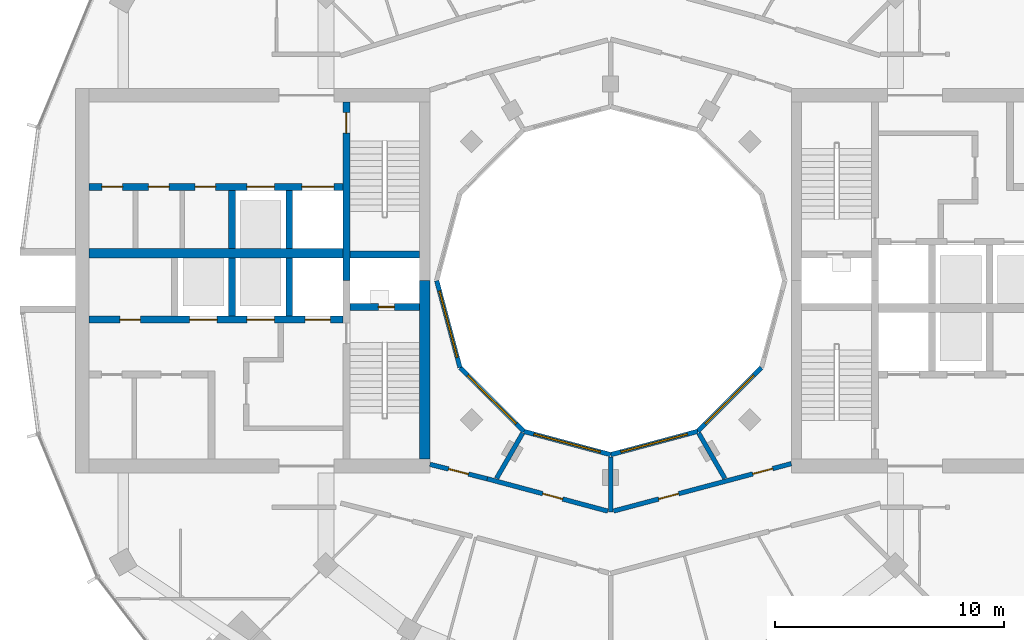
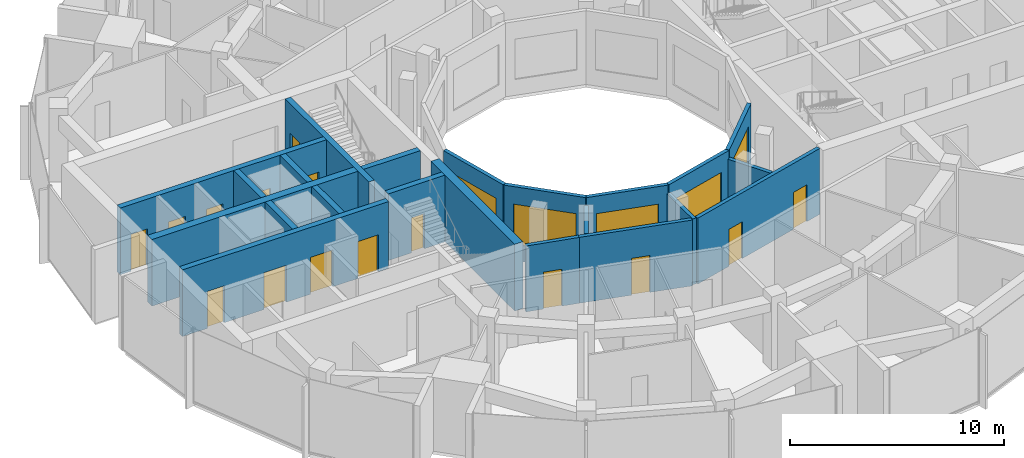
# One storey, part 9 of 15: 22 walls, 15 doors, 5 windows, 20 openings.
"""IFC4 building model written with IfcOpenShell, lengths in metres."""

from ifc_helpers import new_model, si_unit, direction, frame, frame_2d, origin, place, context, subcontext, project, spatial, rectangle, extrude, material, layer, layer_set, type_object, element, fill, save


model = new_model("IFC4")

# Units and contexts
model_context = context("Model", 3, precision=1e-05, world=origin(), true_north=direction((0.0, 1.0)))
body_context = subcontext(model_context, "Body", "Model", "MODEL_VIEW")
ifc_project = project(units=[si_unit("LENGTHUNIT", "METRE"), si_unit("AREAUNIT", "SQUARE_METRE"), si_unit("VOLUMEUNIT", "CUBIC_METRE"), si_unit("PLANEANGLEUNIT", "RADIAN"), si_unit("MASSUNIT", "GRAM", prefix="KILO")], contexts=[model_context])

# Site, building, storey
site_placement = place(None, origin())
site = spatial("IfcSite", under=ifc_project, at=site_placement, CompositionType="ELEMENT")
building_placement = place(site_placement, origin())
building = spatial("IfcBuilding", under=site, at=building_placement, Name="Torre Brocal", CompositionType="ELEMENT")
storey_placement = place(building_placement, frame((0.0, 0.0, 225.10009765625)))
storey = spatial("IfcBuildingStorey", under=building, at=storey_placement, Name="L52", CompositionType="ELEMENT", Elevation=225.10009765625)

# Wall, opening, door
ifc_material_1 = material(Name="Concrete C60", Category="concrete")
ifc_layer_1 = layer(ifc_material_1, 0.300048828125)
ifc_layer_set_1 = layer_set([ifc_layer_1], Name="Concrete C60")
wall_type_1 = type_object("IfcWallType", Name="CORE WALL 300 C60 UNDER 400 SLAB", PredefinedType="SHEAR", material=ifc_layer_set_1)
wall_1_placement = place(storey_placement, frame((68.449951171875, 82.800048828125, 0.0), z_axis=(0.0, 0.0, 1.0), x_axis=(0.0, -1.0, 0.0)))
wall_1 = element("IfcWall", 1, at=wall_1_placement, inside=storey, type_object=wall_type_1, Name="Wall CW300-60-S400", PredefinedType="SHEAR", context=body_context, shape_type="SweptSolid", body=[
    extrude(rectangle(XDim=7.800048828125, YDim=0.300048828125, at=frame_2d((3.89990234375, 0.0))), origin(), (0.0, 0.0, 1.0), 3.7998046875),
])
opening_1_placement = place(wall_1_placement, frame((0.449951171875, 0.0, 0.0)))
opening_1 = element("IfcOpeningElement", 2, at=opening_1_placement, cuts=wall_1, Name="Opening W-D03", PredefinedType="OPENING", context=body_context, shape_type="SweptSolid", body=[
    extrude(rectangle(XDim=0.89990234375, YDim=2.10009765625, at=frame_2d((0.449951171875, 1.050048828125))), frame((0.0, 0.159912109375, 0.0), z_axis=(0.0, -1.0, 0.0), x_axis=(1.0, 0.0, 0.0)), (0.0, 0.0, 1.0), 0.320068359375),
])
ifc_material_2 = material(Name="Steel A653", Category="steel")
door_type_1 = type_object("IfcDoorType", Name="STAIR DOOR FD120 900X2100", OperationType="SINGLE_SWING_RIGHT", PredefinedType="DOOR", material=ifc_material_2)
door_1_placement = place(opening_1_placement, origin())
door_1 = element("IfcDoor", 3, at=door_1_placement, inside=storey, type_object=door_type_1, Name="Door W-D03", OperationType="SINGLE_SWING_LEFT", OverallHeight=2.10009765625, OverallWidth=0.89990234375, PredefinedType="DOOR", context=body_context, shape_type="SweptSolid", body=[
    extrude(rectangle(XDim=0.89990234375, YDim=2.10009765625, at=frame_2d((0.449951171875, 1.050048828125))), frame((0.0, 0.02490234375, 0.0), z_axis=(0.0, -1.0, 0.0), x_axis=(1.0, 0.0, 0.0)), (0.0, 0.0, 1.0), 0.050048828125),
])
fill(opening_1, door_1)

wall_2_placement = place(storey_placement, frame((71.64990234375, 73.85009765625, 0.0), z_axis=(0.0, 0.0, 1.0), x_axis=(-1.0, 0.0, 0.0)))
wall_2 = element("IfcWall", 4, at=wall_2_placement, inside=storey, type_object=wall_type_1, Name="Wall CW300-60-S400", PredefinedType="SHEAR", context=body_context, shape_type="SweptSolid", body=[
    extrude(rectangle(XDim=3.0498046875, YDim=0.300048828125, at=frame_2d((1.52490234375, 0.0))), origin(), (0.0, 0.0, 1.0), 3.7998046875),
])
opening_2_placement = place(wall_2_placement, frame((1.10009765625, 0.0, 0.0)))
opening_2 = element("IfcOpeningElement", 5, at=opening_2_placement, cuts=wall_2, Name="Opening W-D01", PredefinedType="OPENING", context=body_context, shape_type="SweptSolid", body=[
    extrude(rectangle(XDim=0.699951171875, YDim=2.0, at=frame_2d((0.35009765625, 1.0))), frame((0.0, 0.159912109375, 0.0), z_axis=(0.0, -1.0, 0.0), x_axis=(1.0, 0.0, 0.0)), (0.0, 0.0, 1.0), 0.320068359375),
])
ifc_material_3 = material(Name="Steel A653", Category="steel")
door_type_2 = type_object("IfcDoorType", Name="RISER DOOR FD120 700X2000", OperationType="SINGLE_SWING_LEFT", PredefinedType="DOOR", material=ifc_material_3)
door_2_placement = place(opening_2_placement, frame((0.699951171875, 0.0, 0.0), z_axis=(0.0, 0.0, 1.0), x_axis=(-1.0, 0.0, 0.0)))
door_2 = element("IfcDoor", 6, at=door_2_placement, inside=storey, type_object=door_type_2, Name="Door W-D01", OperationType="SINGLE_SWING_RIGHT", OverallHeight=2.0, OverallWidth=0.699951171875, PredefinedType="DOOR", context=body_context, shape_type="SweptSolid", body=[
    extrude(rectangle(XDim=0.699951171875, YDim=2.0, at=frame_2d((0.35009765625, 1.0))), frame((0.0, 0.02490234375, 0.0), z_axis=(0.0, -1.0, 0.0), x_axis=(1.0, 0.0, 0.0)), (0.0, 0.0, 1.0), 0.050048828125),
])
fill(opening_2, door_2)

# Wall
wall_3_placement = place(storey_placement, frame((71.64990234375, 76.14990234375, 0.0), z_axis=(0.0, 0.0, 1.0), x_axis=(-1.0, 0.0, 0.0)))
element("IfcWall", 7, at=wall_3_placement, inside=storey, type_object=wall_type_1, Name="Wall CW300-60-S400", PredefinedType="SHEAR", context=body_context, shape_type="SweptSolid", body=[
    extrude(rectangle(XDim=3.0498046875, YDim=0.300048828125, at=frame_2d((1.52490234375, 0.0))), origin(), (0.0, 0.0, 1.0), 3.7998046875),
])

# Wall, openings, doors
wall_4_placement = place(storey_placement, frame((68.300048828125, 73.300048828125, 0.0), z_axis=(0.0, 0.0, 1.0), x_axis=(-1.0, 0.0, 0.0)))
wall_4 = element("IfcWall", 8, at=wall_4_placement, inside=storey, type_object=wall_type_1, Name="Wall CW300-60-S400", PredefinedType="SHEAR", context=body_context, shape_type="SweptSolid", body=[
    extrude(rectangle(XDim=11.10009765625, YDim=0.300048828125, at=frame_2d((5.550048828125, 0.0))), origin(), (0.0, 0.0, 1.0), 3.7998046875),
])
opening_3_placement = place(wall_4_placement, frame((0.550048828125, 0.0, 0.0)))
opening_3 = element("IfcOpeningElement", 9, at=opening_3_placement, cuts=wall_4, Name="Opening LD", PredefinedType="OPENING", context=body_context, shape_type="SweptSolid", body=[
    extrude(rectangle(XDim=1.10009765625, YDim=2.10009765625, at=frame_2d((0.550048828125, 1.050048828125))), frame((0.0, 0.159912109375, 0.0), z_axis=(0.0, -1.0, 0.0), x_axis=(1.0, 0.0, 0.0)), (0.0, 0.0, 1.0), 0.320068359375),
])
opening_4_placement = place(wall_4_placement, frame((3.0, 0.0, 0.0)))
opening_4 = element("IfcOpeningElement", 10, at=opening_4_placement, cuts=wall_4, Name="Opening LD12", PredefinedType="OPENING", context=body_context, shape_type="SweptSolid", body=[
    extrude(rectangle(XDim=1.199951171875, YDim=2.10009765625, at=frame_2d((0.60009765625, 1.050048828125))), frame((0.0, 0.159912109375, 0.0), z_axis=(0.0, -1.0, 0.0), x_axis=(1.0, 0.0, 0.0)), (0.0, 0.0, 1.0), 0.320068359375),
])
opening_5_placement = place(wall_4_placement, frame((5.5, 0.0, 0.0)))
opening_5 = element("IfcOpeningElement", 11, at=opening_5_placement, cuts=wall_4, Name="Opening LD12", PredefinedType="OPENING", context=body_context, shape_type="SweptSolid", body=[
    extrude(rectangle(XDim=1.199951171875, YDim=2.10009765625, at=frame_2d((0.60009765625, 1.050048828125))), frame((0.0, 0.159912109375, 0.0), z_axis=(0.0, -1.0, 0.0), x_axis=(1.0, 0.0, 0.0)), (0.0, 0.0, 1.0), 0.320068359375),
])
opening_6_placement = place(wall_4_placement, frame((8.85009765625, 0.0, 0.0)))
opening_6 = element("IfcOpeningElement", 12, at=opening_6_placement, cuts=wall_4, Name="Opening W-D04", PredefinedType="OPENING", context=body_context, shape_type="SweptSolid", body=[
    extrude(rectangle(XDim=0.89990234375, YDim=2.10009765625, at=frame_2d((0.449951171875, 1.050048828125))), frame((0.0, 0.159912109375, 0.0), z_axis=(0.0, -1.0, 0.0), x_axis=(1.0, 0.0, 0.0)), (0.0, 0.0, 1.0), 0.320068359375),
])
ifc_material_4 = material(Name="Stainless steel AISI 316", Category="steel")
door_type_3 = type_object("IfcDoorType", Name="LIFT LANDING DOOR 1100X2100", OperationType="DOUBLE_DOOR_SLIDING", PredefinedType="DOOR", material=ifc_material_4)
door_3_placement = place(opening_3_placement, origin())
door_3 = element("IfcDoor", 13, at=door_3_placement, inside=storey, type_object=door_type_3, Name="Door LD", OperationType="DOUBLE_DOOR_SLIDING", OverallHeight=2.10009765625, OverallWidth=1.10009765625, PredefinedType="DOOR", context=body_context, shape_type="SweptSolid", body=[
    extrude(rectangle(XDim=1.10009765625, YDim=2.10009765625, at=frame_2d((0.550048828125, 1.050048828125))), frame((0.0, 0.02490234375, 0.0), z_axis=(0.0, -1.0, 0.0), x_axis=(1.0, 0.0, 0.0)), (0.0, 0.0, 1.0), 0.050048828125),
])
fill(opening_3, door_3)
ifc_material_5 = material(Name="Stainless steel AISI 316", Category="steel")
door_type_4 = type_object("IfcDoorType", Name="LIFT LANDING DOOR 1200X2100", OperationType="DOUBLE_DOOR_SLIDING", PredefinedType="DOOR", material=ifc_material_5)
door_4_placement = place(opening_4_placement, origin())
door_4 = element("IfcDoor", 14, at=door_4_placement, inside=storey, type_object=door_type_4, Name="Door LD12", OperationType="DOUBLE_DOOR_SLIDING", OverallHeight=2.10009765625, OverallWidth=1.199951171875, PredefinedType="DOOR", context=body_context, shape_type="SweptSolid", body=[
    extrude(rectangle(XDim=1.199951171875, YDim=2.10009765625, at=frame_2d((0.60009765625, 1.050048828125))), frame((0.0, 0.02490234375, 0.0), z_axis=(0.0, -1.0, 0.0), x_axis=(1.0, 0.0, 0.0)), (0.0, 0.0, 1.0), 0.050048828125),
])
fill(opening_4, door_4)
door_5_placement = place(opening_5_placement, origin())
door_5 = element("IfcDoor", 15, at=door_5_placement, inside=storey, type_object=door_type_4, Name="Door LD12", OperationType="DOUBLE_DOOR_SLIDING", OverallHeight=2.10009765625, OverallWidth=1.199951171875, PredefinedType="DOOR", context=body_context, shape_type="SweptSolid", body=[
    extrude(rectangle(XDim=1.199951171875, YDim=2.10009765625, at=frame_2d((0.60009765625, 1.050048828125))), frame((0.0, 0.02490234375, 0.0), z_axis=(0.0, -1.0, 0.0), x_axis=(1.0, 0.0, 0.0)), (0.0, 0.0, 1.0), 0.050048828125),
])
fill(opening_5, door_5)
ifc_material_6 = material(Name="Steel A653", Category="steel")
door_type_5 = type_object("IfcDoorType", Name="ROOM DOOR FD30S 900X2100", OperationType="SINGLE_SWING_LEFT", PredefinedType="DOOR", material=ifc_material_6)
door_6_placement = place(opening_6_placement, frame((0.89990234375, 0.0, 0.0), z_axis=(0.0, 0.0, 1.0), x_axis=(-1.0, 0.0, 0.0)))
door_6 = element("IfcDoor", 16, at=door_6_placement, inside=storey, type_object=door_type_5, Name="Door W-D04", OperationType="SINGLE_SWING_LEFT", OverallHeight=2.10009765625, OverallWidth=0.89990234375, PredefinedType="DOOR", context=body_context, shape_type="SweptSolid", body=[
    extrude(rectangle(XDim=0.89990234375, YDim=2.10009765625, at=frame_2d((0.449951171875, 1.050048828125))), frame((0.0, 0.02490234375, 0.0), z_axis=(0.0, -1.0, 0.0), x_axis=(1.0, 0.0, 0.0)), (0.0, 0.0, 1.0), 0.050048828125),
])
fill(opening_6, door_6)

wall_5_placement = place(storey_placement, frame((68.300048828125, 79.10009765625, 0.0), z_axis=(0.0, 0.0, 1.0), x_axis=(-1.0, 0.0, 0.0)))
wall_5 = element("IfcWall", 17, at=wall_5_placement, inside=storey, type_object=wall_type_1, Name="Wall CW300-60-S400", PredefinedType="SHEAR", context=body_context, shape_type="SweptSolid", body=[
    extrude(rectangle(XDim=11.10009765625, YDim=0.300048828125, at=frame_2d((5.550048828125, 0.0))), origin(), (0.0, 0.0, 1.0), 3.7998046875),
])
opening_7_placement = place(wall_5_placement, frame((0.39990234375, 0.0, 0.0)))
opening_7 = element("IfcOpeningElement", 18, at=opening_7_placement, cuts=wall_5, Name="Opening LD14", PredefinedType="OPENING", context=body_context, shape_type="SweptSolid", body=[
    extrude(rectangle(XDim=1.39990234375, YDim=2.10009765625, at=frame_2d((0.699951171875, 1.050048828125))), frame((0.0, 0.159912109375, 0.0), z_axis=(0.0, -1.0, 0.0), x_axis=(1.0, 0.0, 0.0)), (0.0, 0.0, 1.0), 0.320068359375),
])
opening_8_placement = place(wall_5_placement, frame((3.0, 0.0, 0.0)))
opening_8 = element("IfcOpeningElement", 19, at=opening_8_placement, cuts=wall_5, Name="Opening LD12", PredefinedType="OPENING", context=body_context, shape_type="SweptSolid", body=[
    extrude(rectangle(XDim=1.199951171875, YDim=2.10009765625, at=frame_2d((0.60009765625, 1.050048828125))), frame((0.0, 0.159912109375, 0.0), z_axis=(0.0, -1.0, 0.0), x_axis=(1.0, 0.0, 0.0)), (0.0, 0.0, 1.0), 0.320068359375),
])
opening_9_placement = place(wall_5_placement, frame((5.566650390625, 0.0, 0.0)))
opening_9 = element("IfcOpeningElement", 20, at=opening_9_placement, cuts=wall_5, Name="Opening W-D05", PredefinedType="OPENING", context=body_context, shape_type="SweptSolid", body=[
    extrude(rectangle(XDim=0.89990234375, YDim=2.10009765625, at=frame_2d((0.449951171875, 1.050048828125))), frame((0.0, 0.159912109375, 0.0), z_axis=(0.0, -1.0, 0.0), x_axis=(1.0, 0.0, 0.0)), (0.0, 0.0, 1.0), 0.320068359375),
])
opening_10_placement = place(wall_5_placement, frame((7.60009765625, 0.0, 0.0)))
opening_10 = element("IfcOpeningElement", 21, at=opening_10_placement, cuts=wall_5, Name="Opening W-D06", PredefinedType="OPENING", context=body_context, shape_type="SweptSolid", body=[
    extrude(rectangle(XDim=0.89990234375, YDim=2.10009765625, at=frame_2d((0.449951171875, 1.050048828125))), frame((0.0, 0.159912109375, 0.0), z_axis=(0.0, -1.0, 0.0), x_axis=(1.0, 0.0, 0.0)), (0.0, 0.0, 1.0), 0.320068359375),
])
opening_11_placement = place(wall_5_placement, frame((9.63330078125, 0.0, 0.0)))
opening_11 = element("IfcOpeningElement", 22, at=opening_11_placement, cuts=wall_5, Name="Opening W-D07", PredefinedType="OPENING", context=body_context, shape_type="SweptSolid", body=[
    extrude(rectangle(XDim=0.89990234375, YDim=2.10009765625, at=frame_2d((0.449951171875, 1.050048828125))), frame((0.0, 0.159912109375, 0.0), z_axis=(0.0, -1.0, 0.0), x_axis=(1.0, 0.0, 0.0)), (0.0, 0.0, 1.0), 0.320068359375),
])
door_7_placement = place(opening_8_placement, origin())
door_7 = element("IfcDoor", 23, at=door_7_placement, inside=storey, type_object=door_type_4, Name="Door LD12", OperationType="DOUBLE_DOOR_SLIDING", OverallHeight=2.10009765625, OverallWidth=1.199951171875, PredefinedType="DOOR", context=body_context, shape_type="SweptSolid", body=[
    extrude(rectangle(XDim=1.199951171875, YDim=2.10009765625, at=frame_2d((0.60009765625, 1.050048828125))), frame((0.0, 0.02490234375, 0.0), z_axis=(0.0, -1.0, 0.0), x_axis=(1.0, 0.0, 0.0)), (0.0, 0.0, 1.0), 0.050048828125),
])
fill(opening_8, door_7)
ifc_material_7 = material(Name="Stainless steel AISI 316", Category="steel")
door_type_6 = type_object("IfcDoorType", Name="LIFT LANDING DOOR 1400X2100", OperationType="DOUBLE_DOOR_SLIDING", PredefinedType="DOOR", material=ifc_material_7)
door_8_placement = place(opening_7_placement, origin())
door_8 = element("IfcDoor", 24, at=door_8_placement, inside=storey, type_object=door_type_6, Name="Door LD14", OperationType="DOUBLE_DOOR_SLIDING", OverallHeight=2.10009765625, OverallWidth=1.39990234375, PredefinedType="DOOR", context=body_context, shape_type="SweptSolid", body=[
    extrude(rectangle(XDim=1.39990234375, YDim=2.10009765625, at=frame_2d((0.699951171875, 1.050048828125))), frame((0.0, 0.02490234375, 0.0), z_axis=(0.0, -1.0, 0.0), x_axis=(1.0, 0.0, 0.0)), (0.0, 0.0, 1.0), 0.050048828125),
])
fill(opening_7, door_8)
door_9_placement = place(opening_9_placement, origin())
door_9 = element("IfcDoor", 25, at=door_9_placement, inside=storey, type_object=door_type_5, Name="Door W-D05", OperationType="SINGLE_SWING_RIGHT", OverallHeight=2.10009765625, OverallWidth=0.89990234375, PredefinedType="DOOR", context=body_context, shape_type="SweptSolid", body=[
    extrude(rectangle(XDim=0.89990234375, YDim=2.10009765625, at=frame_2d((0.449951171875, 1.050048828125))), frame((0.0, 0.02490234375, 0.0), z_axis=(0.0, -1.0, 0.0), x_axis=(1.0, 0.0, 0.0)), (0.0, 0.0, 1.0), 0.050048828125),
])
fill(opening_9, door_9)
door_10_placement = place(opening_10_placement, origin())
door_10 = element("IfcDoor", 26, at=door_10_placement, inside=storey, type_object=door_type_5, Name="Door W-D06", OperationType="SINGLE_SWING_RIGHT", OverallHeight=2.10009765625, OverallWidth=0.89990234375, PredefinedType="DOOR", context=body_context, shape_type="SweptSolid", body=[
    extrude(rectangle(XDim=0.89990234375, YDim=2.10009765625, at=frame_2d((0.449951171875, 1.050048828125))), frame((0.0, 0.02490234375, 0.0), z_axis=(0.0, -1.0, 0.0), x_axis=(1.0, 0.0, 0.0)), (0.0, 0.0, 1.0), 0.050048828125),
])
fill(opening_10, door_10)
door_11_placement = place(opening_11_placement, origin())
door_11 = element("IfcDoor", 27, at=door_11_placement, inside=storey, type_object=door_type_5, Name="Door W-D07", OperationType="SINGLE_SWING_LEFT", OverallHeight=2.10009765625, OverallWidth=0.89990234375, PredefinedType="DOOR", context=body_context, shape_type="SweptSolid", body=[
    extrude(rectangle(XDim=0.89990234375, YDim=2.10009765625, at=frame_2d((0.449951171875, 1.050048828125))), frame((0.0, 0.02490234375, 0.0), z_axis=(0.0, -1.0, 0.0), x_axis=(1.0, 0.0, 0.0)), (0.0, 0.0, 1.0), 0.050048828125),
])
fill(opening_11, door_11)

# Walls
for number, where, z_axis, x_axis, name in (
    (28, (65.949951171875, 76.0, 0.0), (0.0, 0.0, 1.0), (0.0, -1.0, 0.0), "Wall CW300-60-S400"),
    (29, (63.449951171875, 76.0, 0.0), (0.0, 0.0, 1.0), (0.0, -1.0, 0.0), "Wall CW300-60-S400"),
    (30, (65.949951171875, 78.949951171875, 0.0), (0.0, 0.0, 1.0), (0.0, -1.0, 0.0), "Wall CW300-60-S400"),
    (31, (63.449951171875, 78.949951171875, 0.0), (0.0, 0.0, 1.0), (0.0, -1.0, 0.0), "Wall CW300-60-S400"),
):
    element("IfcWall", number, at=place(storey_placement, frame(where, z_axis=z_axis, x_axis=x_axis)), inside=storey, type_object=wall_type_1, Name=name, PredefinedType="SHEAR", context=body_context, shape_type="SweptSolid", body=[
        extrude(rectangle(XDim=2.550048828125, YDim=0.300048828125, at=frame_2d((1.27490234375, 0.0))), origin(), (0.0, 0.0, 1.0), 3.7998046875),
    ])
ifc_material_8 = material(Name="Concrete C60", Category="concrete")
ifc_layer_2 = layer(ifc_material_8, 0.39990234375)
ifc_layer_set_2 = layer_set([ifc_layer_2], Name="Concrete C60")
wall_type_2 = type_object("IfcWallType", Name="CORE WALL 400 C60 UNDER 400 SLAB", PredefinedType="SHEAR", material=ifc_layer_set_2)
wall_6_placement = place(storey_placement, frame((68.300048828125, 76.199951171875, 0.0), z_axis=(0.0, 0.0, 1.0), x_axis=(-1.0, 0.0, 0.0)))
element("IfcWall", 32, at=wall_6_placement, inside=storey, type_object=wall_type_2, Name="Wall CW400-60-S400", PredefinedType="SHEAR", context=body_context, shape_type="SweptSolid", body=[
    extrude(rectangle(XDim=11.10009765625, YDim=0.39990234375, at=frame_2d((5.550048828125, 0.0))), origin(), (0.0, 0.0, 1.0), 3.7998046875),
])
ifc_material_9 = material(Name="Concrete C60", Category="concrete")
ifc_layer_3 = layer(ifc_material_9, 0.449951171875)
ifc_layer_set_3 = layer_set([ifc_layer_3], Name="Concrete C60")
wall_type_3 = type_object("IfcWallType", Name="CORE WALL 450 C60 UNDER 400 SLAB", PredefinedType="SHEAR", material=ifc_layer_set_3)
wall_7_placement = place(storey_placement, frame((71.875, 75.0, 0.0), z_axis=(0.0, 0.0, 1.0), x_axis=(0.0, -1.0, 0.0)))
element("IfcWall", 33, at=wall_7_placement, inside=storey, type_object=wall_type_3, Name="Wall CW450-60-S400", PredefinedType="SHEAR", context=body_context, shape_type="SweptSolid", body=[
    extrude(rectangle(XDim=7.800048828125, YDim=0.449951171875, at=frame_2d((3.89990234375, 0.0))), origin(), (0.0, 0.0, 1.0), 3.7998046875),
])

# Wall, opening, door
ifc_material_10 = material(Name="Gypsum board", Category="Gypsum")
ifc_layer_4 = layer(ifc_material_10, 0.199951171875)
ifc_layer_set_4 = layer_set([ifc_layer_4], Name="Gypsum board")
wall_type_4 = type_object("IfcWallType", Name="PARTITION 200 EI60", PredefinedType="PARTITIONING", material=ifc_layer_set_4)
wall_8_placement = place(storey_placement, frame((72.10009765625, 66.97509765625, 0.0), z_axis=(0.0, 0.0, 1.0), x_axis=(0.969471314457, -0.245204752086, 0.0)))
wall_8 = element("IfcWall", 34, at=wall_8_placement, inside=storey, type_object=wall_type_4, Name="CORRIDOR WALL", PredefinedType="PARTITIONING", context=body_context, shape_type="SweptSolid", body=[
    extrude(rectangle(XDim=2.581787109375, YDim=0.199951171875, at=frame_2d((1.291015625, 0.0))), origin(), (0.0, 0.0, 1.0), 3.75),
])
opening_12_placement = place(wall_8_placement, frame((0.8408203125, 0.0, 0.0)))
opening_12 = element("IfcOpeningElement", 35, at=opening_12_placement, cuts=wall_8, Name="Opening B02-D41", PredefinedType="OPENING", context=body_context, shape_type="SweptSolid", body=[
    extrude(rectangle(XDim=0.89990234375, YDim=2.10009765625, at=frame_2d((0.449951171875, 1.050048828125))), frame((0.0, 0.10986328125, 0.0), z_axis=(0.0, -1.0, 0.0), x_axis=(1.0, 0.0, 0.0)), (0.0, 0.0, 1.0), 0.219970703125),
])
ifc_material_11 = material(Name="Timber", Category="wood")
door_type_7 = type_object("IfcDoorType", Name="ROOM DOOR 900X2100", OperationType="SINGLE_SWING_LEFT", PredefinedType="DOOR", material=ifc_material_11)
door_12_placement = place(opening_12_placement, origin())
door_12 = element("IfcDoor", 36, at=door_12_placement, inside=storey, type_object=door_type_7, Name="B02-D41", OperationType="SINGLE_SWING_LEFT", OverallHeight=2.10009765625, OverallWidth=0.89990234375, PredefinedType="DOOR", context=body_context, shape_type="SweptSolid", body=[
    extrude(rectangle(XDim=0.89990234375, YDim=2.10009765625, at=frame_2d((0.449951171875, 1.050048828125))), frame((0.0, 0.02490234375, 0.0), z_axis=(0.0, -1.0, 0.0), x_axis=(1.0, 0.0, 0.0)), (0.0, 0.0, 1.0), 0.050048828125),
])
fill(opening_12, door_12)

wall_9_placement = place(storey_placement, frame((74.60302734375, 66.342041015625, 0.0), z_axis=(0.0, 0.0, 1.0), x_axis=(0.965920893652, -0.258837453254, 0.0)))
wall_9 = element("IfcWall", 37, at=wall_9_placement, inside=storey, type_object=wall_type_4, Name="CORRIDOR WALL", PredefinedType="PARTITIONING", context=body_context, shape_type="SweptSolid", body=[
    extrude(rectangle(XDim=5.45751953125, YDim=0.199951171875, at=frame_2d((2.728759765625, 0.0))), origin(), (0.0, 0.0, 1.0), 3.75),
])
opening_13_placement = place(wall_9_placement, frame((2.512451171875, 0.0, 0.0)))
opening_13 = element("IfcOpeningElement", 38, at=opening_13_placement, cuts=wall_9, Name="Opening B02-D40", PredefinedType="OPENING", context=body_context, shape_type="SweptSolid", body=[
    extrude(rectangle(XDim=0.89990234375, YDim=2.10009765625, at=frame_2d((0.449951171875, 1.050048828125))), frame((0.0, 0.10986328125, 0.0), z_axis=(0.0, -1.0, 0.0), x_axis=(1.0, 0.0, 0.0)), (0.0, 0.0, 1.0), 0.219970703125),
])
door_13_placement = place(opening_13_placement, origin())
door_13 = element("IfcDoor", 39, at=door_13_placement, inside=storey, type_object=door_type_7, Name="B02-D40", OperationType="SINGLE_SWING_LEFT", OverallHeight=2.10009765625, OverallWidth=0.89990234375, PredefinedType="DOOR", context=body_context, shape_type="SweptSolid", body=[
    extrude(rectangle(XDim=0.89990234375, YDim=2.10009765625, at=frame_2d((0.449951171875, 1.050048828125))), frame((0.0, 0.02490234375, 0.0), z_axis=(0.0, -1.0, 0.0), x_axis=(1.0, 0.0, 0.0)), (0.0, 0.0, 1.0), 0.050048828125),
])
fill(opening_13, door_13)

# Wall
wall_10_placement = place(storey_placement, frame((75.013671875, 66.3623046875, 0.0), z_axis=(0.0, 0.0, 1.0), x_axis=(0.500143511652, 0.865942531438, 0.0)))
element("IfcWall", 40, at=wall_10_placement, inside=storey, type_object=wall_type_4, Name="SERVICE ROOM WALL", PredefinedType="PARTITIONING", context=body_context, shape_type="SweptSolid", body=[
    extrude(rectangle(XDim=2.275146484375, YDim=0.199951171875, at=frame_2d((1.1376953125, 0.0))), origin(), (0.0, 0.0, 1.0), 3.75),
])

# Wall, openings, doors
wall_11_placement = place(storey_placement, frame((80.125, 64.931640625, 0.0), z_axis=(0.0, 0.0, 1.0), x_axis=(0.966236955806, 0.257655089674, 0.0)))
wall_11 = element("IfcWall", 41, at=wall_11_placement, inside=storey, type_object=wall_type_4, Name="CORRIDOR WALL", PredefinedType="PARTITIONING", context=body_context, shape_type="SweptSolid", body=[
    extrude(rectangle(XDim=8.0390625, YDim=0.199951171875, at=frame_2d((4.01953125, 0.0))), origin(), (0.0, 0.0, 1.0), 3.75),
])
opening_14_placement = place(wall_11_placement, frame((6.298095703125, 0.0, 0.0)))
opening_14 = element("IfcOpeningElement", 42, at=opening_14_placement, cuts=wall_11, Name="Opening B02-D38", PredefinedType="OPENING", context=body_context, shape_type="SweptSolid", body=[
    extrude(rectangle(XDim=0.89990234375, YDim=2.10009765625, at=frame_2d((0.449951171875, 1.050048828125))), frame((0.0, 0.10986328125, 0.0), z_axis=(0.0, -1.0, 0.0), x_axis=(1.0, 0.0, 0.0)), (0.0, 0.0, 1.0), 0.219970703125),
])
opening_15_placement = place(wall_11_placement, frame((2.044921875, 0.0, 0.0)))
opening_15 = element("IfcOpeningElement", 43, at=opening_15_placement, cuts=wall_11, Name="Opening B02-D39", PredefinedType="OPENING", context=body_context, shape_type="SweptSolid", body=[
    extrude(rectangle(XDim=0.89990234375, YDim=2.10009765625, at=frame_2d((0.449951171875, 1.050048828125))), frame((0.0, 0.10986328125, 0.0), z_axis=(0.0, -1.0, 0.0), x_axis=(1.0, 0.0, 0.0)), (0.0, 0.0, 1.0), 0.219970703125),
])
door_14_placement = place(opening_14_placement, origin())
door_14 = element("IfcDoor", 44, at=door_14_placement, inside=storey, type_object=door_type_7, Name="B02-D38", OperationType="SINGLE_SWING_RIGHT", OverallHeight=2.10009765625, OverallWidth=0.89990234375, PredefinedType="DOOR", context=body_context, shape_type="SweptSolid", body=[
    extrude(rectangle(XDim=0.89990234375, YDim=2.10009765625, at=frame_2d((0.449951171875, 1.050048828125))), frame((0.0, 0.02490234375, 0.0), z_axis=(0.0, -1.0, 0.0), x_axis=(1.0, 0.0, 0.0)), (0.0, 0.0, 1.0), 0.050048828125),
])
fill(opening_14, door_14)
door_15_placement = place(opening_15_placement, origin())
door_15 = element("IfcDoor", 45, at=door_15_placement, inside=storey, type_object=door_type_7, Name="B02-D39", OperationType="SINGLE_SWING_RIGHT", OverallHeight=2.10009765625, OverallWidth=0.89990234375, PredefinedType="DOOR", context=body_context, shape_type="SweptSolid", body=[
    extrude(rectangle(XDim=0.89990234375, YDim=2.10009765625, at=frame_2d((0.449951171875, 1.050048828125))), frame((0.0, 0.02490234375, 0.0), z_axis=(0.0, -1.0, 0.0), x_axis=(1.0, 0.0, 0.0)), (0.0, 0.0, 1.0), 0.050048828125),
])
fill(opening_15, door_15)

# Walls
wall_12_placement = place(storey_placement, frame((80.0, 64.89599609375, 0.0), z_axis=(0.0, 0.0, 1.0), x_axis=(0.0, 1.0, 0.0)))
element("IfcWall", 46, at=wall_12_placement, inside=storey, type_object=wall_type_4, Name="SERVICE ROOM WALL", PredefinedType="PARTITIONING", context=body_context, shape_type="SweptSolid", body=[
    extrude(rectangle(XDim=2.405029296875, YDim=0.199951171875, at=frame_2d((1.20263671875, 0.0))), origin(), (0.0, 0.0, 1.0), 3.75),
])
wall_13_placement = place(storey_placement, frame((83.849609375, 68.333251953125, 0.0), z_axis=(0.0, 0.0, 1.0), x_axis=(0.500080019051, -0.865979199835, 0.0)))
element("IfcWall", 47, at=wall_13_placement, inside=storey, type_object=wall_type_4, Name="SERVICE ROOM WALL", PredefinedType="PARTITIONING", context=body_context, shape_type="SweptSolid", body=[
    extrude(rectangle(XDim=2.285400390625, YDim=0.199951171875, at=frame_2d((1.142578125, 0.0))), origin(), (0.0, 0.0, 1.0), 3.75),
])

# Wall, opening, window
ifc_material_12 = material(Name="Concrete C40", Category="concrete")
ifc_layer_5 = layer(ifc_material_12, 0.199951171875)
ifc_layer_set_5 = layer_set([ifc_layer_5], Name="Concrete C40")
wall_type_5 = type_object("IfcWallType", Name="WELL FACADE WALL 200", PredefinedType="NOTDEFINED", material=ifc_layer_set_5)
wall_14_placement = place(storey_placement, frame((72.396484375, 75.0, 0.0), z_axis=(0.0, 0.0, 1.0), x_axis=(0.258789828301, -0.965933654434, 0.0)))
wall_14 = element("IfcWall", 48, at=wall_14_placement, inside=storey, type_object=wall_type_5, Name="WELL FACADE WALL", PredefinedType="NOTDEFINED", context=body_context, shape_type="SweptSolid", body=[
    extrude(rectangle(XDim=3.935791015625, YDim=0.199951171875, at=frame_2d((1.9677734375, 0.0))), origin(), (0.0, 0.0, 1.0), 4.199951171875),
])
opening_16_placement = place(wall_14_placement, frame((0.468017578125, 0.0, 0.89990234375)))
opening_16 = element("IfcOpeningElement", 49, at=opening_16_placement, cuts=wall_14, Name="Opening W1", PredefinedType="OPENING", context=body_context, shape_type="SweptSolid", body=[
    extrude(rectangle(XDim=3.0, YDim=2.300048828125, at=frame_2d((1.5, 1.14990234375))), frame((0.0, 0.10986328125, 0.0), z_axis=(0.0, -1.0, 0.0), x_axis=(1.0, 0.0, 0.0)), (0.0, 0.0, 1.0), 0.219970703125),
])
ifc_material_13 = material(Name="Aluminium and glass", Category="aluminium")
window_type = type_object("IfcWindowType", Name="WELL WINDOW 3000X2300", PartitioningType="SINGLE_PANEL", PredefinedType="WINDOW", material=ifc_material_13)
window_1_placement = place(opening_16_placement, origin())
window_1 = element("IfcWindow", 50, at=window_1_placement, inside=storey, type_object=window_type, Name="WELL WINDOW 3000X2300", OverallHeight=2.300048828125, OverallWidth=3.0, PartitioningType="SINGLE_PANEL", PredefinedType="WINDOW", context=body_context, shape_type="SweptSolid", body=[
    extrude(rectangle(XDim=3.0, YDim=2.300048828125, at=frame_2d((1.5, 1.14990234375))), frame((0.0, 0.030029296875, 0.0), z_axis=(0.0, -1.0, 0.0), x_axis=(1.0, 0.0, 0.0)), (0.0, 0.0, 1.0), 0.06005859375),
])
fill(opening_16, window_1)

wall_15_placement = place(storey_placement, frame((73.4150390625, 71.1982421875, 0.0), z_axis=(0.0, 0.0, 1.0), x_axis=(0.707106781187, -0.707106781187, 0.0)))
wall_15 = element("IfcWall", 51, at=wall_15_placement, inside=storey, type_object=wall_type_5, Name="WELL FACADE WALL", PredefinedType="NOTDEFINED", context=body_context, shape_type="SweptSolid", body=[
    extrude(rectangle(XDim=3.93603515625, YDim=0.199951171875, at=frame_2d((1.968017578125, 0.0))), origin(), (0.0, 0.0, 1.0), 4.199951171875),
])
opening_17_placement = place(wall_15_placement, frame((0.468017578125, 0.0, 0.89990234375)))
opening_17 = element("IfcOpeningElement", 52, at=opening_17_placement, cuts=wall_15, Name="Opening W1", PredefinedType="OPENING", context=body_context, shape_type="SweptSolid", body=[
    extrude(rectangle(XDim=3.0, YDim=2.300048828125, at=frame_2d((1.5, 1.14990234375))), frame((0.0, 0.10986328125, 0.0), z_axis=(0.0, -1.0, 0.0), x_axis=(1.0, 0.0, 0.0)), (0.0, 0.0, 1.0), 0.219970703125),
])
window_2_placement = place(opening_17_placement, origin())
window_2 = element("IfcWindow", 53, at=window_2_placement, inside=storey, type_object=window_type, Name="WELL WINDOW 3000X2300", OverallHeight=2.300048828125, OverallWidth=3.0, PartitioningType="SINGLE_PANEL", PredefinedType="WINDOW", context=body_context, shape_type="SweptSolid", body=[
    extrude(rectangle(XDim=3.0, YDim=2.300048828125, at=frame_2d((1.5, 1.14990234375))), frame((0.0, 0.030029296875, 0.0), z_axis=(0.0, -1.0, 0.0), x_axis=(1.0, 0.0, 0.0)), (0.0, 0.0, 1.0), 0.06005859375),
])
fill(opening_17, window_2)

wall_16_placement = place(storey_placement, frame((76.1982421875, 68.4150390625, 0.0), z_axis=(0.0, 0.0, 1.0), x_axis=(0.965933654434, -0.258789828301, 0.0)))
wall_16 = element("IfcWall", 54, at=wall_16_placement, inside=storey, type_object=wall_type_5, Name="WELL FACADE WALL", PredefinedType="NOTDEFINED", context=body_context, shape_type="SweptSolid", body=[
    extrude(rectangle(XDim=3.935791015625, YDim=0.199951171875, at=frame_2d((1.9677734375, 0.0))), origin(), (0.0, 0.0, 1.0), 4.199951171875),
])
opening_18_placement = place(wall_16_placement, frame((0.468017578125, 0.0, 0.89990234375)))
opening_18 = element("IfcOpeningElement", 55, at=opening_18_placement, cuts=wall_16, Name="Opening W1", PredefinedType="OPENING", context=body_context, shape_type="SweptSolid", body=[
    extrude(rectangle(XDim=3.0, YDim=2.300048828125, at=frame_2d((1.5, 1.14990234375))), frame((0.0, 0.10986328125, 0.0), z_axis=(0.0, -1.0, 0.0), x_axis=(1.0, 0.0, 0.0)), (0.0, 0.0, 1.0), 0.219970703125),
])
window_3_placement = place(opening_18_placement, origin())
window_3 = element("IfcWindow", 56, at=window_3_placement, inside=storey, type_object=window_type, Name="WELL WINDOW 3000X2300", OverallHeight=2.300048828125, OverallWidth=3.0, PartitioningType="SINGLE_PANEL", PredefinedType="WINDOW", context=body_context, shape_type="SweptSolid", body=[
    extrude(rectangle(XDim=3.0, YDim=2.300048828125, at=frame_2d((1.5, 1.14990234375))), frame((0.0, 0.030029296875, 0.0), z_axis=(0.0, -1.0, 0.0), x_axis=(1.0, 0.0, 0.0)), (0.0, 0.0, 1.0), 0.06005859375),
])
fill(opening_18, window_3)

wall_17_placement = place(storey_placement, frame((80.0, 67.396484375, 0.0), z_axis=(0.0, 0.0, 1.0), x_axis=(0.965933654434, 0.258789828301, 0.0)))
wall_17 = element("IfcWall", 57, at=wall_17_placement, inside=storey, type_object=wall_type_5, Name="WELL FACADE WALL", PredefinedType="NOTDEFINED", context=body_context, shape_type="SweptSolid", body=[
    extrude(rectangle(XDim=3.935791015625, YDim=0.199951171875, at=frame_2d((1.9677734375, 0.0))), origin(), (0.0, 0.0, 1.0), 4.199951171875),
])
opening_19_placement = place(wall_17_placement, frame((0.468017578125, 0.0, 0.89990234375)))
opening_19 = element("IfcOpeningElement", 58, at=opening_19_placement, cuts=wall_17, Name="Opening W1", PredefinedType="OPENING", context=body_context, shape_type="SweptSolid", body=[
    extrude(rectangle(XDim=3.0, YDim=2.300048828125, at=frame_2d((1.5, 1.14990234375))), frame((0.0, 0.10986328125, 0.0), z_axis=(0.0, -1.0, 0.0), x_axis=(1.0, 0.0, 0.0)), (0.0, 0.0, 1.0), 0.219970703125),
])
window_4_placement = place(opening_19_placement, origin())
window_4 = element("IfcWindow", 59, at=window_4_placement, inside=storey, type_object=window_type, Name="WELL WINDOW 3000X2300", OverallHeight=2.300048828125, OverallWidth=3.0, PartitioningType="SINGLE_PANEL", PredefinedType="WINDOW", context=body_context, shape_type="SweptSolid", body=[
    extrude(rectangle(XDim=3.0, YDim=2.300048828125, at=frame_2d((1.5, 1.14990234375))), frame((0.0, 0.030029296875, 0.0), z_axis=(0.0, -1.0, 0.0), x_axis=(1.0, 0.0, 0.0)), (0.0, 0.0, 1.0), 0.06005859375),
])
fill(opening_19, window_4)

wall_18_placement = place(storey_placement, frame((83.8017578125, 68.4150390625, 0.0), z_axis=(0.0, 0.0, 1.0), x_axis=(0.707106781187, 0.707106781187, 0.0)))
wall_18 = element("IfcWall", 60, at=wall_18_placement, inside=storey, type_object=wall_type_5, Name="WELL FACADE WALL", PredefinedType="NOTDEFINED", context=body_context, shape_type="SweptSolid", body=[
    extrude(rectangle(XDim=3.93603515625, YDim=0.199951171875, at=frame_2d((1.968017578125, 0.0))), origin(), (0.0, 0.0, 1.0), 4.199951171875),
])
opening_20_placement = place(wall_18_placement, frame((0.468017578125, 0.0, 0.89990234375)))
opening_20 = element("IfcOpeningElement", 61, at=opening_20_placement, cuts=wall_18, Name="Opening W1", PredefinedType="OPENING", context=body_context, shape_type="SweptSolid", body=[
    extrude(rectangle(XDim=3.0, YDim=2.300048828125, at=frame_2d((1.5, 1.14990234375))), frame((0.0, 0.10986328125, 0.0), z_axis=(0.0, -1.0, 0.0), x_axis=(1.0, 0.0, 0.0)), (0.0, 0.0, 1.0), 0.219970703125),
])
window_5_placement = place(opening_20_placement, origin())
window_5 = element("IfcWindow", 62, at=window_5_placement, inside=storey, type_object=window_type, Name="WELL WINDOW 3000X2300", OverallHeight=2.300048828125, OverallWidth=3.0, PartitioningType="SINGLE_PANEL", PredefinedType="WINDOW", context=body_context, shape_type="SweptSolid", body=[
    extrude(rectangle(XDim=3.0, YDim=2.300048828125, at=frame_2d((1.5, 1.14990234375))), frame((0.0, 0.030029296875, 0.0), z_axis=(0.0, -1.0, 0.0), x_axis=(1.0, 0.0, 0.0)), (0.0, 0.0, 1.0), 0.06005859375),
])
fill(opening_20, window_5)

save(model, "model.ifc")
